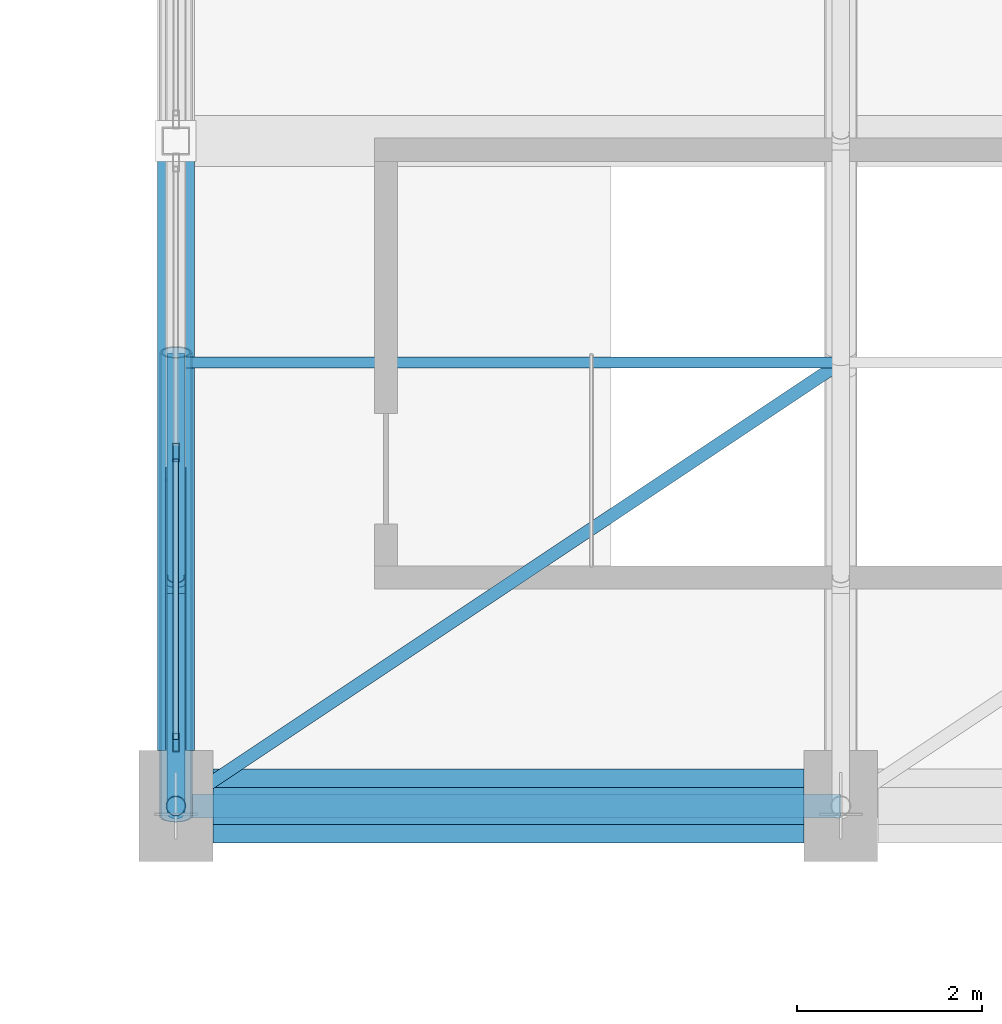
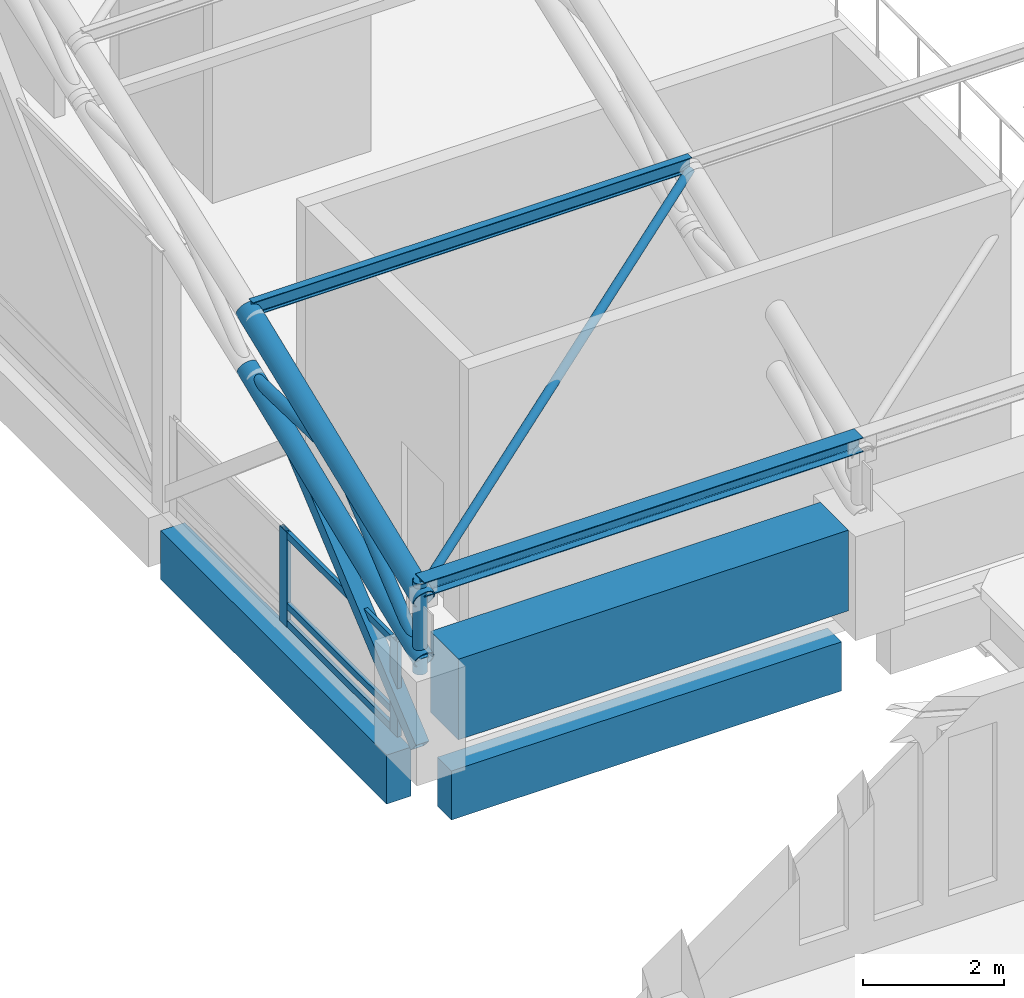
# One storey, part 24 of 116: 14 members, 3 beams, 1 element without a shape of its own.
"""IFC4 building model written with IfcOpenShell, lengths in metres."""

from ifc_helpers import new_model, si_unit, direction, frame, origin, origin_2d, place, context, subcontext, project, spatial, rectangle, hollow_rectangle, hollow_circle, i_section, extrude, material, material_profile, profile_set, type_object, element, aggregate, save


model = new_model("IFC4")

# Units and contexts
model_context = context("Model", 3, precision=1e-05, world=origin(), true_north=direction((0.0, 1.0)))
body_context = subcontext(model_context, "Body", "Model", "MODEL_VIEW")
ifc_project = project(units=[si_unit("LENGTHUNIT", "METRE"), si_unit("AREAUNIT", "SQUARE_METRE"), si_unit("VOLUMEUNIT", "CUBIC_METRE"), si_unit("PLANEANGLEUNIT", "RADIAN"), si_unit("MASSUNIT", "GRAM", prefix="KILO")], contexts=[model_context])

# Site, building, storey
site_placement = place(None, origin())
site = spatial("IfcSite", under=ifc_project, at=site_placement, CompositionType="ELEMENT")
building_placement = place(site_placement, origin())
building = spatial("IfcBuilding", under=site, at=building_placement, Name="Cendralis Lancet Convention Centre", CompositionType="ELEMENT")
storey_placement = place(building_placement, frame((0.0, 0.0, 15.0)))
storey = spatial("IfcBuildingStorey", under=building, at=storey_placement, Name="L03", CompositionType="ELEMENT", Elevation=15.0)

# Curtain wall, members
ifc_material_1 = material(Name="Anodised bronze architectural aluminium", Category="aluminium")
curtain_wall_type = type_object("IfcCurtainWallType", Name="ARC-CW-PL02", PredefinedType="USERDEFINED", material=ifc_material_1)
curtain_wall_placement = place(storey_placement, origin())
curtain_wall = element("IfcCurtainWall", 1, at=curtain_wall_placement, inside=storey, type_object=curtain_wall_type, Name="L03 Curtain Wall CW-PL2 #136", ObjectType="CURTAIN WALL", PredefinedType="USERDEFINED")
ifc_material_profile_1 = material_profile(ifc_material_1, hollow_rectangle(XDim=0.070068359375, YDim=0.199951171875, WallThickness=0.0048828125, at=origin_2d()), Name="AL-MULL 70x200x5.0")
ifc_profile_set_1 = profile_set([ifc_material_profile_1], Name="Anodised bronze architectural aluminium")
member_type_1 = type_object("IfcMemberType", Name="ARC-CW-ML02", PredefinedType="MULLION", material=ifc_profile_set_1)
member_1_placement = place(storey_placement, frame((139.199951171875, 43.885009765625, 0.0), z_axis=(0.0, 0.0, 1.0), x_axis=(1.0, 0.0, 0.0)))
member_1 = element("IfcMember", 2, at=member_1_placement, type_object=member_type_1, Name="Mullion CW2-CW-PL2-L03-136-M0", PredefinedType="MULLION", context=body_context, shape_type="SweptSolid", body=[
    extrude(hollow_rectangle(XDim=0.070068359375, YDim=0.199951171875, WallThickness=0.0048828125, at=origin_2d()), origin(), (0.0, 0.0, 1.0), 1.64990234375),
])
member_2_placement = place(storey_placement, frame((139.199951171875, 47.02490234375, 0.0), z_axis=(0.0, 0.0, 1.0), x_axis=(1.0, 0.0, 0.0)))
member_2 = element("IfcMember", 3, at=member_2_placement, type_object=member_type_1, Name="Mullion CW2-CW-PL2-L03-136-M1", PredefinedType="MULLION", context=body_context, shape_type="SweptSolid", body=[
    extrude(hollow_rectangle(XDim=0.070068359375, YDim=0.199951171875, WallThickness=0.0048828125, at=origin_2d()), origin(), (0.0, 0.0, 1.0), 1.64990234375),
])
ifc_material_profile_2 = material_profile(ifc_material_1, hollow_rectangle(XDim=0.06005859375, YDim=0.1201171875, WallThickness=0.00390625, at=origin_2d()), Name="AL-TRAN 60x120x4.0")
ifc_profile_set_2 = profile_set([ifc_material_profile_2], Name="Anodised bronze architectural aluminium")
member_type_2 = type_object("IfcMemberType", Name="ARC-CW-TR01", PredefinedType="USERDEFINED", material=ifc_profile_set_2)
member_3_placement = place(storey_placement, frame((139.199951171875, 43.919921875, 0.06005859375), z_axis=(0.0, 1.0, 0.0), x_axis=(-1.0, 0.0, 0.0)))
member_3 = element("IfcMember", 4, at=member_3_placement, type_object=member_type_2, Name="Transom CW2-CW-PL2-L03-136-T0BOT", ObjectType="TRANSOM", PredefinedType="USERDEFINED", context=body_context, shape_type="SweptSolid", body=[
    extrude(hollow_rectangle(XDim=0.06005859375, YDim=0.1201171875, WallThickness=0.00390625, at=origin_2d()), origin(), (0.0, 0.0, 1.0), 3.03515625),
])
member_4_placement = place(storey_placement, frame((139.199951171875, 43.919921875, 0.363037109375), z_axis=(0.0, 1.0, 0.0), x_axis=(-1.0, 0.0, 0.0)))
member_4 = element("IfcMember", 5, at=member_4_placement, type_object=member_type_2, Name="Transom CW2-CW-PL2-L03-136-T0MID", ObjectType="TRANSOM", PredefinedType="USERDEFINED", context=body_context, shape_type="SweptSolid", body=[
    extrude(hollow_rectangle(XDim=0.06005859375, YDim=0.1201171875, WallThickness=0.00390625, at=origin_2d()), origin(), (0.0, 0.0, 1.0), 3.03515625),
])
member_5_placement = place(storey_placement, frame((139.199951171875, 43.919921875, 1.590087890625), z_axis=(0.0, 1.0, 0.0), x_axis=(-1.0, 0.0, 0.0)))
member_5 = element("IfcMember", 6, at=member_5_placement, type_object=member_type_2, Name="Transom CW2-CW-PL2-L03-136-T0TOP", ObjectType="TRANSOM", PredefinedType="USERDEFINED", context=body_context, shape_type="SweptSolid", body=[
    extrude(hollow_rectangle(XDim=0.06005859375, YDim=0.1201171875, WallThickness=0.00390625, at=origin_2d()), origin(), (0.0, 0.0, 1.0), 3.03515625),
])
aggregate(curtain_wall, [member_1, member_2, member_3, member_4, member_5])

# Beam
ifc_material_2 = material(Name="Concrete G40 (C40/50)", Category="concrete")
ifc_material_profile_3 = material_profile(ifc_material_2, rectangle(XDim=0.800048828125, YDim=1.39990234375, at=origin_2d()), Name="RCB 800x1400")
ifc_profile_set_3 = profile_set([ifc_material_profile_3], Name="Concrete G40 (C40/50)")
beam_type_1 = type_object("IfcBeamType", Name="STR-BM-BG17", PredefinedType="BEAM", material=ifc_profile_set_3)
beam_1_placement = place(storey_placement, frame((139.60009765625, 43.199951171875, 1.10009765625), z_axis=(1.0, 0.0, 0.0), x_axis=(0.0, 1.0, 0.0)))
element("IfcBeam", 7, at=beam_1_placement, inside=storey, type_object=beam_type_1, Name="L03 Beam BG17 #1559", PredefinedType="BEAM", context=body_context, shape_type="SweptSolid", body=[
    extrude(rectangle(XDim=0.800048828125, YDim=1.39990234375, at=origin_2d()), origin(), (0.0, 0.0, 1.0), 6.39990234375),
])

# Members
ifc_material_3 = material(Name="Steel S355", Category="steel")
ifc_material_profile_4 = material_profile(ifc_material_3, hollow_rectangle(XDim=0.219970703125, YDim=0.219970703125, WallThickness=0.012451171875, at=origin_2d()), Name="SHS 220x220x12.5")
ifc_profile_set_4 = profile_set([ifc_material_profile_4], Name="Steel S355")
member_type_3 = type_object("IfcMemberType", Name="STR-BR-GB02", PredefinedType="BRACE", material=ifc_profile_set_4)
member_6_placement = place(storey_placement, frame((139.199951171875, 43.199951171875, 0.199951171875), z_axis=(0.0, 0.762604993608, 0.646864455449), x_axis=(-1.0, 0.0, 0.0)))
element("IfcMember", 8, at=member_6_placement, inside=storey, type_object=member_type_3, Name="Plenary Gable Gothic Ogival Tracery Rib GBR2 #061", PredefinedType="BRACE", context=body_context, shape_type="SweptSolid", body=[
    extrude(hollow_rectangle(XDim=0.219970703125, YDim=0.219970703125, WallThickness=0.012451171875, at=origin_2d()), origin(), (0.0, 0.0, 1.0), 4.720703125),
])
ifc_material_profile_5 = material_profile(ifc_material_3, hollow_circle(Radius=0.06982421875, WallThickness=0.00634765625, at=origin_2d()), Name="CHS 139.7x6.3")
ifc_profile_set_5 = profile_set([ifc_material_profile_5], Name="Steel S355")
member_type_4 = type_object("IfcMemberType", Name="STR-BR-RB02", PredefinedType="BRACE", material=ifc_profile_set_5)
member_7_placement = place(storey_placement, frame((139.199951171875, 43.199951171875, 2.85009765625), z_axis=(0.812601866984, 0.541743762733, 0.214923012528), x_axis=(-0.554706707029, 0.832045953765, 0.0)))
element("IfcMember", 9, at=member_7_placement, inside=storey, type_object=member_type_4, Name="Roof Diaphragm Brace RB02 V2-00-00A", PredefinedType="BRACE", context=body_context, shape_type="SweptSolid", body=[
    extrude(hollow_circle(Radius=0.06982421875, WallThickness=0.00634765625, at=origin_2d()), origin(), (0.0, 0.0, 1.0), 8.8603515625),
])
ifc_material_profile_6 = material_profile(ifc_material_3, i_section(OverallWidth=0.1201171875, OverallDepth=0.239990234375, WebThickness=0.006103515625, FlangeThickness=0.009765625, FilletRadius=0.014892578125, at=origin_2d()), Name="IPE 240")
ifc_profile_set_6 = profile_set([ifc_material_profile_6], Name="Steel S355")
member_type_5 = type_object("IfcMemberType", Name="STR-PR-PR02", PredefinedType="PURLIN", material=ifc_profile_set_6)
member_8_placement = place(storey_placement, frame((139.199951171875, 48.0, 4.884521484375), z_axis=(1.0, 0.0, 0.0), x_axis=(0.0, 1.0, 0.0)))
element("IfcMember", 10, at=member_8_placement, inside=storey, type_object=member_type_5, Name="Vault Roof Purlin PR02 V2-00-01", PredefinedType="PURLIN", context=body_context, shape_type="SweptSolid", body=[
    extrude(i_section(OverallWidth=0.1201171875, OverallDepth=0.239990234375, WebThickness=0.006103515625, FlangeThickness=0.009765625, FilletRadius=0.014892578125, at=origin_2d()), origin(), (0.0, 0.0, 1.0), 7.199951171875),
])
ifc_material_profile_7 = material_profile(ifc_material_3, i_section(OverallWidth=0.260009765625, OverallDepth=0.25, WebThickness=0.007568359375, FlangeThickness=0.012451171875, FilletRadius=0.02392578125, at=origin_2d()), Name="HEA 260")
ifc_profile_set_7 = profile_set([ifc_material_profile_7], Name="Steel S355")
member_type_6 = type_object("IfcMemberType", Name="STR-PR-PR07", PredefinedType="PURLIN", material=ifc_profile_set_7)
member_9_placement = place(storey_placement, frame((139.199951171875, 43.199951171875, 2.97509765625), z_axis=(1.0, 0.0, 0.0), x_axis=(0.0, 1.0, 0.0)))
element("IfcMember", 11, at=member_9_placement, inside=storey, type_object=member_type_6, Name="Vault Roof Purlin PR07 V2-00-00", PredefinedType="PURLIN", context=body_context, shape_type="SweptSolid", body=[
    extrude(i_section(OverallWidth=0.260009765625, OverallDepth=0.25, WebThickness=0.007568359375, FlangeThickness=0.012451171875, FilletRadius=0.02392578125, at=origin_2d()), origin(), (0.0, 0.0, 1.0), 7.199951171875),
])

# Beams
ifc_material_profile_8 = material_profile(ifc_material_2, rectangle(XDim=0.39990234375, YDim=0.85009765625, at=origin_2d()), Name="RCB 400x850")
ifc_profile_set_8 = profile_set([ifc_material_profile_8], Name="Concrete G40 (C40/50)")
beam_type_2 = type_object("IfcBeamType", Name="STR-SP-SP02", PredefinedType="SPANDREL", material=ifc_profile_set_8)
beam_2_placement = place(storey_placement, frame((139.60009765625, 43.199951171875, -0.68505859375), z_axis=(1.0, 0.0, 0.0), x_axis=(0.0, 1.0, 0.0)))
element("IfcBeam", 12, at=beam_2_placement, inside=storey, type_object=beam_type_2, Name="L03 Beam SP02 #1504", PredefinedType="SPANDREL", context=body_context, shape_type="SweptSolid", body=[
    extrude(rectangle(XDim=0.39990234375, YDim=0.85009765625, at=origin_2d()), origin(), (0.0, 0.0, 1.0), 6.39990234375),
])
beam_3_placement = place(storey_placement, frame((139.199951171875, 43.800048828125, -0.68505859375), z_axis=(0.0, 1.0, 0.0), x_axis=(-1.0, 0.0, 0.0)))
element("IfcBeam", 13, at=beam_3_placement, inside=storey, type_object=beam_type_2, Name="L03 Beam SP02 #1532", PredefinedType="SPANDREL", context=body_context, shape_type="SweptSolid", body=[
    extrude(rectangle(XDim=0.39990234375, YDim=0.85009765625, at=origin_2d()), origin(), (0.0, 0.0, 1.0), 6.425048828125),
])

# Members
ifc_material_profile_9 = material_profile(ifc_material_3, hollow_circle(Radius=0.161865234375, WallThickness=0.01416015625, at=origin_2d()), Name="CHS 323.9x14.2")
ifc_profile_set_9 = profile_set([ifc_material_profile_9], Name="Steel S355")
member_type_7 = type_object("IfcMemberType", Name="STR-TR-BC02", PredefinedType="CHORD", material=ifc_profile_set_9)
member_10_placement = place(storey_placement, frame((139.199951171875, 43.088623046875, 1.755126953125), z_axis=(0.0, 0.927278249077, 0.374372874002), x_axis=(-1.0, 0.0, 0.0)))
element("IfcMember", 14, at=member_10_placement, inside=storey, type_object=member_type_7, Name="ROOF TRUSS AT-V2-01 Bottom Chord 00", PredefinedType="CHORD", context=body_context, shape_type="SweptSolid", body=[
    extrude(hollow_circle(Radius=0.161865234375, WallThickness=0.01416015625, at=origin_2d()), origin(), (0.0, 0.0, 1.0), 5.41650390625),
])
ifc_material_profile_10 = material_profile(ifc_material_3, hollow_circle(Radius=0.177734375, WallThickness=0.01611328125, at=origin_2d()), Name="CHS 355.6x16.0")
ifc_profile_set_10 = profile_set([ifc_material_profile_10], Name="Steel S355")
member_type_8 = type_object("IfcMemberType", Name="STR-TR-TC02", PredefinedType="CHORD", material=ifc_profile_set_10)
member_11_placement = place(storey_placement, frame((139.199951171875, 43.08837890625, 2.8056640625), z_axis=(0.0, 0.929501282069, 0.368818880525), x_axis=(-1.0, 0.0, 0.0)))
element("IfcMember", 15, at=member_11_placement, inside=storey, type_object=member_type_8, Name="ROOF TRUSS AT-V2-01 Top Chord 00", PredefinedType="CHORD", context=body_context, shape_type="SweptSolid", body=[
    extrude(hollow_circle(Radius=0.177734375, WallThickness=0.01611328125, at=origin_2d()), origin(), (0.0, 0.0, 1.0), 5.404296875),
])
ifc_material_profile_11 = material_profile(ifc_material_3, hollow_circle(Radius=0.096923828125, WallThickness=0.008056640625, at=origin_2d()), Name="CHS 193.7x8.0")
ifc_profile_set_11 = profile_set([ifc_material_profile_11], Name="Steel S355")
member_type_9 = type_object("IfcMemberType", Name="STR-TR-WD02", PredefinedType="BRACE", material=ifc_profile_set_11)
member_12_placement = place(storey_placement, frame((139.199951171875, 43.123291015625, 1.73583984375), z_axis=(0.0, 0.767817962022, 0.640668070998), x_axis=(-1.0, 0.0, 0.0)))
element("IfcMember", 16, at=member_12_placement, inside=storey, type_object=member_type_9, Name="ROOF TRUSS AT-V2-01 Warren Web 00-0", PredefinedType="BRACE", context=body_context, shape_type="SweptSolid", body=[
    extrude(hollow_circle(Radius=0.096923828125, WallThickness=0.008056640625, at=origin_2d()), origin(), (0.0, 0.0, 1.0), 3.32568359375),
])
member_13_placement = place(storey_placement, frame((139.199951171875, 45.5, 3.804931640625), z_axis=(0.0, 0.999642128324, -0.026750986533), x_axis=(-1.0, 0.0, 0.0)))
element("IfcMember", 17, at=member_13_placement, inside=storey, type_object=member_type_9, Name="ROOF TRUSS AT-V2-01 Warren Web 00-1", PredefinedType="BRACE", context=body_context, shape_type="SweptSolid", body=[
    extrude(hollow_circle(Radius=0.096923828125, WallThickness=0.008056640625, at=origin_2d()), origin(), (0.0, 0.0, 1.0), 2.60107421875),
])
ifc_material_profile_12 = material_profile(ifc_material_3, hollow_circle(Radius=0.109619140625, WallThickness=0.010009765625, at=origin_2d()), Name="CHS 219.1x10.0")
ifc_profile_set_12 = profile_set([ifc_material_profile_12], Name="Steel S355")
member_type_10 = type_object("IfcMemberType", Name="STR-TR-WV02", PredefinedType="POST", material=ifc_profile_set_12)
member_14_placement = place(storey_placement, frame((139.199951171875, 43.199951171875, 1.5), z_axis=(0.0, 0.0, 1.0), x_axis=(1.0, 0.0, 0.0)))
element("IfcMember", 18, at=member_14_placement, inside=storey, type_object=member_type_10, Name="ROOF TRUSS AT-V2-01 Springing Post N00", PredefinedType="POST", context=body_context, shape_type="SweptSolid", body=[
    extrude(hollow_circle(Radius=0.109619140625, WallThickness=0.010009765625, at=origin_2d()), origin(), (0.0, 0.0, 1.0), 1.570068359375),
])

save(model, "model.ifc")
